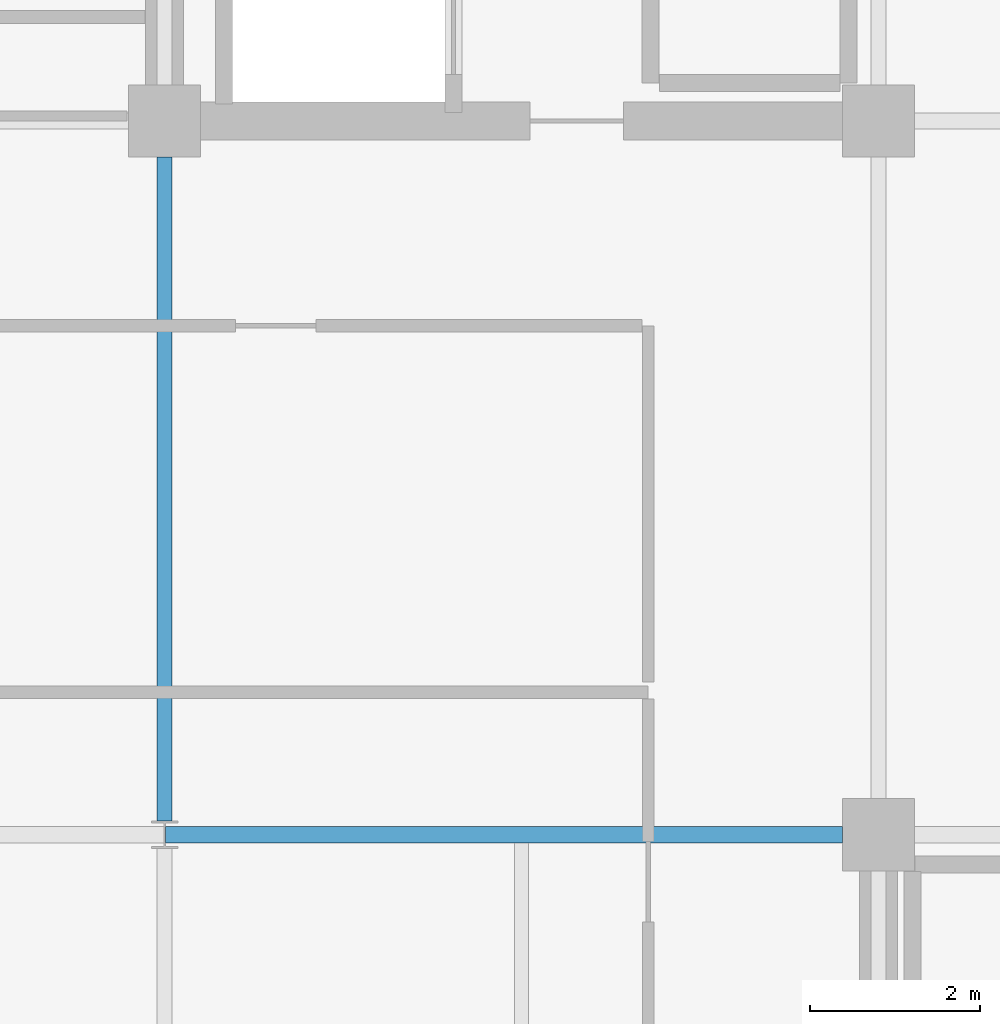
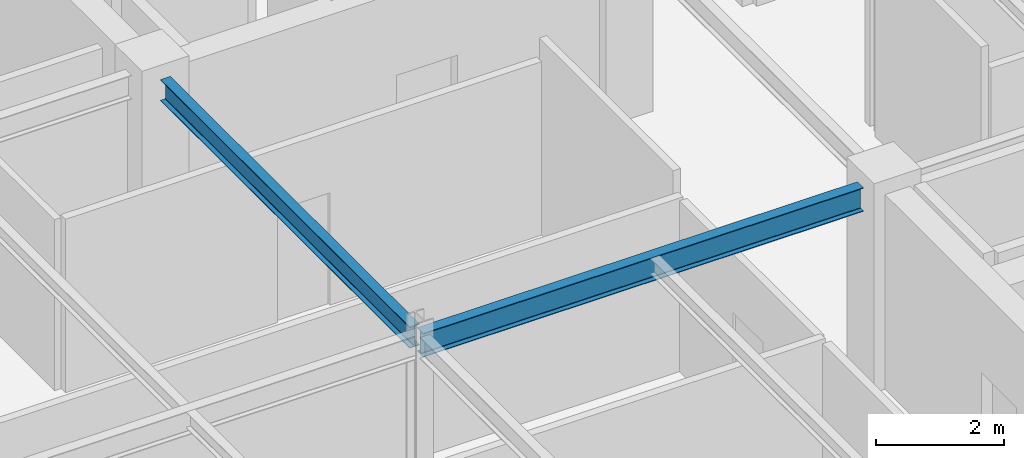
# One storey, part 10 of 24: 2 beams.
"""IFC4 building model written with IfcOpenShell, lengths in metres."""

from ifc_helpers import new_model, si_unit, direction, frame, origin, origin_2d, place, context, subcontext, project, spatial, i_section, extrude, material, material_profile, profile_set, type_object, element, save


model = new_model("IFC4")

# Units and contexts
model_context = context("Model", 3, precision=1e-05, world=origin(), true_north=direction((0.0, 1.0)))
body_context = subcontext(model_context, "Body", "Model", "MODEL_VIEW")
ifc_project = project(units=[si_unit("LENGTHUNIT", "METRE"), si_unit("AREAUNIT", "SQUARE_METRE"), si_unit("VOLUMEUNIT", "CUBIC_METRE"), si_unit("PLANEANGLEUNIT", "RADIAN"), si_unit("MASSUNIT", "GRAM", prefix="KILO")], contexts=[model_context])

# Site, building, storey
site_placement = place(None, origin())
site = spatial("IfcSite", under=ifc_project, at=site_placement, CompositionType="ELEMENT")
building_placement = place(site_placement, origin())
building = spatial("IfcBuilding", under=site, at=building_placement, Name="Nerrivon Quay Data Exchange", CompositionType="ELEMENT")
storey_placement = place(building_placement, frame((0.0, 0.0, 298.199951171875)))
storey = spatial("IfcBuildingStorey", under=building, at=storey_placement, Name="L71", CompositionType="ELEMENT", Elevation=298.199951171875)

# Beams
ifc_material = material(Name="Steel Grade 350", Category="steel")
ifc_material_profile_1 = material_profile(ifc_material, i_section(OverallWidth=0.18994140625, OverallDepth=0.4541015625, WebThickness=0.008544921875, FlangeThickness=0.0126953125, FilletRadius=0.011474609375, at=origin_2d()), Name="460UB67.1")
ifc_profile_set_1 = profile_set([ifc_material_profile_1], Name="Steel Grade 350")
beam_type_1 = type_object("IfcBeamType", Name="BM-G6-460UB67", PredefinedType="BEAM", material=ifc_profile_set_1)
beam_1_placement = place(storey_placement, frame((8.40771484375, 16.800048828125, 3.498046875), z_axis=(1.0, 0.0, 0.0), x_axis=(0.0, 1.0, 0.0)))
element("IfcBeam", 1, at=beam_1_placement, inside=storey, type_object=beam_type_1, Name="L71 EW Girder Y=16.8 (8.4..16.8)", PredefinedType="BEAM", context=body_context, shape_type="SweptSolid", body=[
    extrude(i_section(OverallWidth=0.18994140625, OverallDepth=0.4541015625, WebThickness=0.008544921875, FlangeThickness=0.0126953125, FilletRadius=0.011474609375, at=origin_2d()), origin(), (0.0, 0.0, 1.0), 7.96728515625),
])
ifc_material_profile_2 = material_profile(ifc_material, i_section(OverallWidth=0.177978515625, OverallDepth=0.406005859375, WebThickness=0.0078125, FlangeThickness=0.0126953125, FilletRadius=0.011474609375, at=origin_2d()), Name="410UB59.7")
ifc_profile_set_2 = profile_set([ifc_material_profile_2], Name="Steel Grade 350")
beam_type_2 = type_object("IfcBeamType", Name="BM-J1-410UB60", PredefinedType="JOIST", material=ifc_profile_set_2)
beam_2_placement = place(storey_placement, frame((8.39990234375, 16.96337890625, 3.52197265625), z_axis=(0.0, 1.0, 0.0), x_axis=(-1.0, 0.0, 0.0)))
element("IfcBeam", 2, at=beam_2_placement, inside=storey, type_object=beam_type_2, Name="L71 NS Girder X=8.4 (16.8..25.2)", PredefinedType="JOIST", context=body_context, shape_type="SweptSolid", body=[
    extrude(i_section(OverallWidth=0.177978515625, OverallDepth=0.406005859375, WebThickness=0.0078125, FlangeThickness=0.0126953125, FilletRadius=0.011474609375, at=origin_2d()), origin(), (0.0, 0.0, 1.0), 7.8115234375),
])

save(model, "model.ifc")
